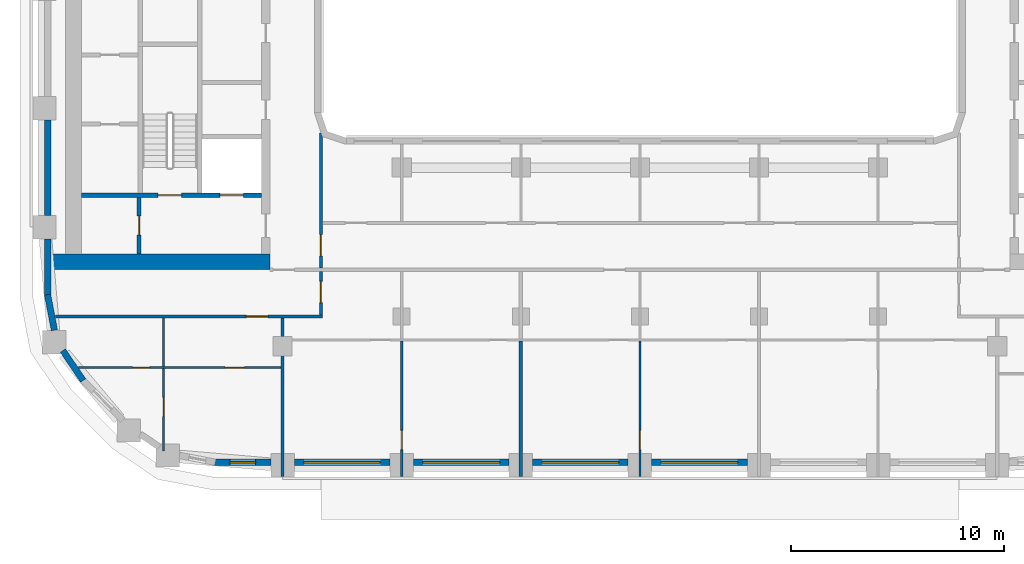
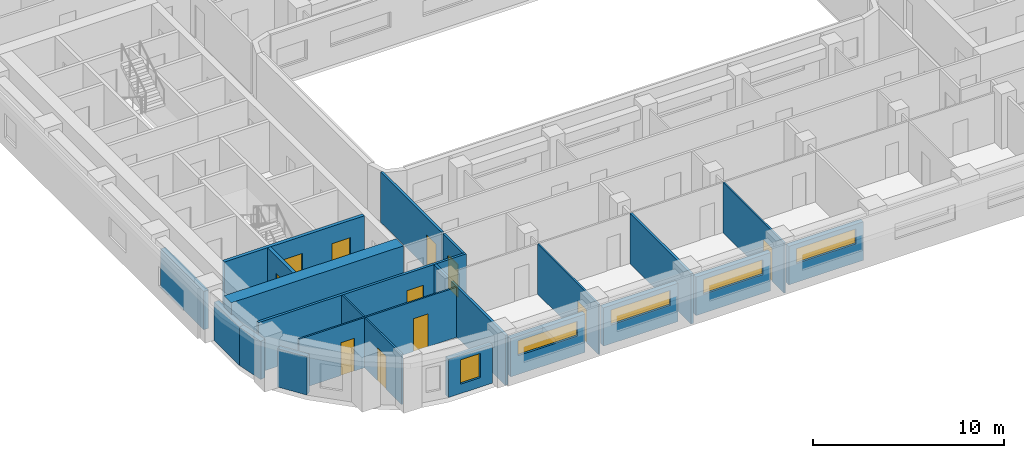
# One storey, part 2 of 22: 22 walls, 11 doors, 5 windows, 16 openings.
"""IFC4 building model written with IfcOpenShell, lengths in metres."""

from ifc_helpers import new_model, si_unit, direction, frame, frame_2d, origin, place, context, subcontext, project, spatial, rectangle, extrude, material, layer, layer_set, type_object, element, fill, save


model = new_model("IFC4")

# Units and contexts
model_context = context("Model", 3, precision=1e-05, world=origin(), true_north=direction((0.0, 1.0)))
body_context = subcontext(model_context, "Body", "Model", "MODEL_VIEW")
ifc_project = project(units=[si_unit("LENGTHUNIT", "METRE"), si_unit("AREAUNIT", "SQUARE_METRE"), si_unit("VOLUMEUNIT", "CUBIC_METRE"), si_unit("PLANEANGLEUNIT", "RADIAN"), si_unit("MASSUNIT", "GRAM", prefix="KILO")], contexts=[model_context])

# Site, building, storey
site_placement = place(None, origin())
site = spatial("IfcSite", under=ifc_project, at=site_placement, CompositionType="ELEMENT")
building_placement = place(site_placement, origin())
building = spatial("IfcBuilding", under=site, at=building_placement, Name="Kiln Ring Residences", CompositionType="ELEMENT")
storey_placement = place(building_placement, frame((0.0, 0.0, 153.60009765625)))
storey = spatial("IfcBuildingStorey", under=building, at=storey_placement, Name="L39", CompositionType="ELEMENT", Elevation=153.60009765625)

# Wall, opening, door
ifc_material_1 = material(Name="Gypsum board on steel studs", Category="steel")
ifc_layer_1 = layer(ifc_material_1, 0.199951171875)
ifc_layer_set_1 = layer_set([ifc_layer_1], Name="CORE-PARTITION-200")
wall_type_1 = type_object("IfcWallType", Name="CORE-PARTITION-200", PredefinedType="PARTITIONING", material=ifc_layer_set_1)
wall_1_placement = place(storey_placement, frame((-23.550048828125, -12.449951171875, 0.0), z_axis=(0.0, 0.0, 1.0), x_axis=(0.0, 1.0, 0.0)))
wall_1 = element("IfcWall", 1, at=wall_1_placement, inside=storey, type_object=wall_type_1, Name="Core partition west L39 5", PredefinedType="PARTITIONING", context=body_context, shape_type="SweptSolid", body=[
    extrude(rectangle(XDim=2.64990234375, YDim=0.199951171875, at=frame_2d((1.324951171875, 0.0))), origin(), (0.0, 0.0, 1.0), 3.199951171875),
])
opening_1_placement = place(wall_1_placement, frame((0.875, 0.0, 0.0)))
opening_1 = element("IfcOpeningElement", 2, at=opening_1_placement, cuts=wall_1, Name="Opening L39-CW10", PredefinedType="OPENING", context=body_context, shape_type="SweptSolid", body=[
    extrude(rectangle(XDim=0.89990234375, YDim=2.10009765625, at=frame_2d((0.449951171875, 1.050048828125))), frame((0.0, 0.10986328125, 0.0), z_axis=(0.0, -1.0, 0.0), x_axis=(1.0, 0.0, 0.0)), (0.0, 0.0, 1.0), 0.219970703125),
])
ifc_material_2 = material(Name="Steel door leaf", Category="steel")
door_type_1 = type_object("IfcDoorType", Name="CORE-DOOR-ROOM", OperationType="SINGLE_SWING_LEFT", PredefinedType="DOOR", material=ifc_material_2)
door_1_placement = place(opening_1_placement, origin())
door_1 = element("IfcDoor", 3, at=door_1_placement, inside=storey, type_object=door_type_1, Name="Store L39-CW10", OperationType="SINGLE_SWING_RIGHT", OverallHeight=2.10009765625, OverallWidth=0.89990234375, PredefinedType="DOOR", context=body_context, shape_type="SweptSolid", body=[
    extrude(rectangle(XDim=0.89990234375, YDim=2.10009765625, at=frame_2d((0.449951171875, 1.050048828125))), frame((0.0, 0.02490234375, 0.0), z_axis=(0.0, -1.0, 0.0), x_axis=(1.0, 0.0, 0.0)), (0.0, 0.0, 1.0), 0.050048828125),
])
fill(opening_1, door_1)

# Wall, openings, doors
ifc_material_3 = material(Name="Concrete C40/50", Category="concrete")
ifc_layer_2 = layer(ifc_material_3, 0.199951171875)
ifc_layer_set_2 = layer_set([ifc_layer_2], Name="CORE-WALL-RC200")
wall_type_2 = type_object("IfcWallType", Name="CORE-WALL-RC200", PredefinedType="SHEAR", material=ifc_layer_set_2)
wall_2_placement = place(storey_placement, frame((-17.800048828125, -9.699951171875, 0.0), z_axis=(0.0, 0.0, 1.0), x_axis=(-1.0, 0.0, 0.0)))
wall_2 = element("IfcWall", 4, at=wall_2_placement, inside=storey, type_object=wall_type_2, Name="Core wall west L39 8", PredefinedType="SHEAR", context=body_context, shape_type="SweptSolid", body=[
    extrude(rectangle(XDim=8.449951171875, YDim=0.199951171875, at=frame_2d((4.22509765625, 0.0))), origin(), (0.0, 0.0, 1.0), 3.199951171875),
])
opening_2_placement = place(wall_2_placement, frame((0.85009765625, 0.0, 0.0)))
opening_2 = element("IfcOpeningElement", 5, at=opening_2_placement, cuts=wall_2, Name="Opening L39-CW01", PredefinedType="OPENING", context=body_context, shape_type="SweptSolid", body=[
    extrude(rectangle(XDim=1.10009765625, YDim=2.10009765625, at=frame_2d((0.550048828125, 1.050048828125))), frame((0.0, 0.10986328125, 0.0), z_axis=(0.0, -1.0, 0.0), x_axis=(1.0, 0.0, 0.0)), (0.0, 0.0, 1.0), 0.219970703125),
])
opening_3_placement = place(wall_2_placement, frame((3.75, 0.0, 0.0)))
opening_3 = element("IfcOpeningElement", 6, at=opening_3_placement, cuts=wall_2, Name="Opening L39-CW12", PredefinedType="OPENING", context=body_context, shape_type="SweptSolid", body=[
    extrude(rectangle(XDim=1.10009765625, YDim=2.10009765625, at=frame_2d((0.550048828125, 1.050048828125))), frame((0.0, 0.10986328125, 0.0), z_axis=(0.0, -1.0, 0.0), x_axis=(1.0, 0.0, 0.0)), (0.0, 0.0, 1.0), 0.219970703125),
])
ifc_material_4 = material(Name="Steel door leaf", Category="steel")
door_type_2 = type_object("IfcDoorType", Name="CORE-DOOR-LD", OperationType="DOUBLE_DOOR_SLIDING", PredefinedType="DOOR", material=ifc_material_4)
door_2_placement = place(opening_2_placement, origin())
door_2 = element("IfcDoor", 7, at=door_2_placement, inside=storey, type_object=door_type_2, Name="LD W-SV L39-CW01", OperationType="DOUBLE_DOOR_SLIDING", OverallHeight=2.10009765625, OverallWidth=1.10009765625, PredefinedType="DOOR", context=body_context, shape_type="SweptSolid", body=[
    extrude(rectangle(XDim=1.10009765625, YDim=2.10009765625, at=frame_2d((0.550048828125, 1.050048828125))), frame((0.0, 0.02490234375, 0.0), z_axis=(0.0, -1.0, 0.0), x_axis=(1.0, 0.0, 0.0)), (0.0, 0.0, 1.0), 0.050048828125),
])
fill(opening_2, door_2)
ifc_material_5 = material(Name="Steel door leaf", Category="steel")
door_type_3 = type_object("IfcDoorType", Name="CORE-DOOR-STAIR", OperationType="SINGLE_SWING_LEFT", PredefinedType="DOOR", material=ifc_material_5)
door_3_placement = place(opening_3_placement, origin())
door_3 = element("IfcDoor", 8, at=door_3_placement, inside=storey, type_object=door_type_3, Name="Stair W-STS L39-CW12", OperationType="SINGLE_SWING_LEFT", OverallHeight=2.10009765625, OverallWidth=1.10009765625, PredefinedType="DOOR", context=body_context, shape_type="SweptSolid", body=[
    extrude(rectangle(XDim=1.10009765625, YDim=2.10009765625, at=frame_2d((0.550048828125, 1.050048828125))), frame((0.0, 0.02490234375, 0.0), z_axis=(0.0, -1.0, 0.0), x_axis=(1.0, 0.0, 0.0)), (0.0, 0.0, 1.0), 0.050048828125),
])
fill(opening_3, door_3)

# Wall
ifc_material_6 = material(Name="Concrete C60/75", Category="concrete")
ifc_layer_3 = layer(ifc_material_6, 0.75)
ifc_layer_set_3 = layer_set([ifc_layer_3], Name="CORE-WALL-RC750")
wall_type_3 = type_object("IfcWallType", Name="CORE-WALL-RC750", PredefinedType="SHEAR", material=ifc_layer_set_3)
wall_3_placement = place(storey_placement, frame((-17.39990234375, -12.824951171875, 0.0), z_axis=(0.0, 0.0, 1.0), x_axis=(-1.0, 0.0, 0.0)))
element("IfcWall", 9, at=wall_3_placement, inside=storey, type_object=wall_type_3, Name="Core wall west L39 5", PredefinedType="SHEAR", context=body_context, shape_type="SweptSolid", body=[
    extrude(rectangle(XDim=10.400146484375, YDim=0.75, at=frame_2d((5.2001953125, 0.0))), origin(), (0.0, 0.0, 1.0), 3.199951171875),
])

# Wall, opening, window
ifc_material_7 = material(Name="Brick masonry, dark clay brick", Category="masonry")
ifc_layer_4 = layer(ifc_material_7, 0.300048828125)
ifc_layer_set_4 = layer_set([ifc_layer_4], Name="EW-300 BRICK WALL")
wall_type_4 = type_object("IfcWallType", Name="EW-300 BRICK WALL", PredefinedType="SOLIDWALL", material=ifc_layer_set_4)
wall_4_placement = place(storey_placement, frame((-20.0, -22.25, 0.0), z_axis=(0.0, 0.0, 1.0), x_axis=(1.0, 0.0, 0.0)))
wall_4 = element("IfcWall", 10, at=wall_4_placement, inside=storey, type_object=wall_type_4, Name="Facade wall L39 4", PredefinedType="SOLIDWALL", context=body_context, shape_type="SweptSolid", body=[
    extrude(rectangle(XDim=2.64990234375, YDim=0.300048828125, at=frame_2d((1.324951171875, 0.0))), origin(), (0.0, 0.0, 1.0), 2.449951171875),
])
opening_4_placement = place(wall_4_placement, frame((0.72509765625, 0.0, 0.60009765625)))
opening_4 = element("IfcOpeningElement", 11, at=opening_4_placement, cuts=wall_4, Name="Opening W1", PredefinedType="OPENING", context=body_context, shape_type="SweptSolid", body=[
    extrude(rectangle(XDim=1.199951171875, YDim=1.550048828125, at=frame_2d((0.60009765625, 0.77490234375))), frame((0.0, 0.159912109375, 0.0), z_axis=(0.0, -1.0, 0.0), x_axis=(1.0, 0.0, 0.0)), (0.0, 0.0, 1.0), 0.320068359375),
])
ifc_material_8 = material(Name="Aluminium frame with double glazing", Category="aluminium")
window_type_1 = type_object("IfcWindowType", Name="WINDOW 1200 x 1550", PartitioningType="SINGLE_PANEL", PredefinedType="WINDOW", material=ifc_material_8)
window_1_placement = place(opening_4_placement, origin())
window_1 = element("IfcWindow", 12, at=window_1_placement, inside=storey, type_object=window_type_1, Name="Window L39 3", OverallHeight=1.550048828125, OverallWidth=1.199951171875, PartitioningType="SINGLE_PANEL", PredefinedType="WINDOW", context=body_context, shape_type="SweptSolid", body=[
    extrude(rectangle(XDim=1.199951171875, YDim=1.550048828125, at=frame_2d((0.60009765625, 0.77490234375))), frame((0.0, 0.030029296875, 0.0), z_axis=(0.0, -1.0, 0.0), x_axis=(1.0, 0.0, 0.0)), (0.0, 0.0, 1.0), 0.06005859375),
])
fill(opening_4, window_1)

wall_5_placement = place(storey_placement, frame((-16.25, -22.25, 0.0), z_axis=(0.0, 0.0, 1.0), x_axis=(1.0, 0.0, 0.0)))
wall_5 = element("IfcWall", 13, at=wall_5_placement, inside=storey, type_object=wall_type_4, Name="Facade wall L39 5", PredefinedType="SOLIDWALL", context=body_context, shape_type="SweptSolid", body=[
    extrude(rectangle(XDim=4.5, YDim=0.300048828125, at=frame_2d((2.25, 0.0))), origin(), (0.0, 0.0, 1.0), 2.449951171875),
])
opening_5_placement = place(wall_5_placement, frame((0.449951171875, 0.0, 1.199951171875)))
opening_5 = element("IfcOpeningElement", 14, at=opening_5_placement, cuts=wall_5, Name="Opening W4", PredefinedType="OPENING", context=body_context, shape_type="SweptSolid", body=[
    extrude(rectangle(XDim=3.60009765625, YDim=0.949951171875, at=frame_2d((1.800048828125, 0.47509765625))), frame((0.0, 0.159912109375, 0.0), z_axis=(0.0, -1.0, 0.0), x_axis=(1.0, 0.0, 0.0)), (0.0, 0.0, 1.0), 0.320068359375),
])
ifc_material_9 = material(Name="Aluminium frame with double glazing", Category="aluminium")
window_type_2 = type_object("IfcWindowType", Name="WINDOW 3600 x 950", PartitioningType="SINGLE_PANEL", PredefinedType="WINDOW", material=ifc_material_9)
window_2_placement = place(opening_5_placement, origin())
window_2 = element("IfcWindow", 15, at=window_2_placement, inside=storey, type_object=window_type_2, Name="Window L39 4", OverallHeight=0.949951171875, OverallWidth=3.60009765625, PartitioningType="SINGLE_PANEL", PredefinedType="WINDOW", context=body_context, shape_type="SweptSolid", body=[
    extrude(rectangle(XDim=3.60009765625, YDim=0.949951171875, at=frame_2d((1.800048828125, 0.47509765625))), frame((0.0, 0.030029296875, 0.0), z_axis=(0.0, -1.0, 0.0), x_axis=(1.0, 0.0, 0.0)), (0.0, 0.0, 1.0), 0.06005859375),
])
fill(opening_5, window_2)

wall_6_placement = place(storey_placement, frame((-10.64990234375, -22.25, 0.0), z_axis=(0.0, 0.0, 1.0), x_axis=(1.0, 0.0, 0.0)))
wall_6 = element("IfcWall", 16, at=wall_6_placement, inside=storey, type_object=wall_type_4, Name="Facade wall L39 6", PredefinedType="SOLIDWALL", context=body_context, shape_type="SweptSolid", body=[
    extrude(rectangle(XDim=4.5, YDim=0.300048828125, at=frame_2d((2.25, 0.0))), origin(), (0.0, 0.0, 1.0), 2.449951171875),
])
opening_6_placement = place(wall_6_placement, frame((0.449951171875, 0.0, 1.199951171875)))
opening_6 = element("IfcOpeningElement", 17, at=opening_6_placement, cuts=wall_6, Name="Opening W4", PredefinedType="OPENING", context=body_context, shape_type="SweptSolid", body=[
    extrude(rectangle(XDim=3.60009765625, YDim=0.949951171875, at=frame_2d((1.800048828125, 0.47509765625))), frame((0.0, 0.159912109375, 0.0), z_axis=(0.0, -1.0, 0.0), x_axis=(1.0, 0.0, 0.0)), (0.0, 0.0, 1.0), 0.320068359375),
])
window_3_placement = place(opening_6_placement, origin())
window_3 = element("IfcWindow", 18, at=window_3_placement, inside=storey, type_object=window_type_2, Name="Window L39 5", OverallHeight=0.949951171875, OverallWidth=3.60009765625, PartitioningType="SINGLE_PANEL", PredefinedType="WINDOW", context=body_context, shape_type="SweptSolid", body=[
    extrude(rectangle(XDim=3.60009765625, YDim=0.949951171875, at=frame_2d((1.800048828125, 0.47509765625))), frame((0.0, 0.030029296875, 0.0), z_axis=(0.0, -1.0, 0.0), x_axis=(1.0, 0.0, 0.0)), (0.0, 0.0, 1.0), 0.06005859375),
])
fill(opening_6, window_3)

wall_7_placement = place(storey_placement, frame((-5.050048828125, -22.25, 0.0), z_axis=(0.0, 0.0, 1.0), x_axis=(1.0, 0.0, 0.0)))
wall_7 = element("IfcWall", 19, at=wall_7_placement, inside=storey, type_object=wall_type_4, Name="Facade wall L39 7", PredefinedType="SOLIDWALL", context=body_context, shape_type="SweptSolid", body=[
    extrude(rectangle(XDim=4.5, YDim=0.300048828125, at=frame_2d((2.25, 0.0))), origin(), (0.0, 0.0, 1.0), 2.449951171875),
])
opening_7_placement = place(wall_7_placement, frame((0.449951171875, 0.0, 1.199951171875)))
opening_7 = element("IfcOpeningElement", 20, at=opening_7_placement, cuts=wall_7, Name="Opening W4", PredefinedType="OPENING", context=body_context, shape_type="SweptSolid", body=[
    extrude(rectangle(XDim=3.60009765625, YDim=0.949951171875, at=frame_2d((1.800048828125, 0.47509765625))), frame((0.0, 0.159912109375, 0.0), z_axis=(0.0, -1.0, 0.0), x_axis=(1.0, 0.0, 0.0)), (0.0, 0.0, 1.0), 0.320068359375),
])
window_4_placement = place(opening_7_placement, origin())
window_4 = element("IfcWindow", 21, at=window_4_placement, inside=storey, type_object=window_type_2, Name="Window L39 6", OverallHeight=0.949951171875, OverallWidth=3.60009765625, PartitioningType="SINGLE_PANEL", PredefinedType="WINDOW", context=body_context, shape_type="SweptSolid", body=[
    extrude(rectangle(XDim=3.60009765625, YDim=0.949951171875, at=frame_2d((1.800048828125, 0.47509765625))), frame((0.0, 0.030029296875, 0.0), z_axis=(0.0, -1.0, 0.0), x_axis=(1.0, 0.0, 0.0)), (0.0, 0.0, 1.0), 0.06005859375),
])
fill(opening_7, window_4)

wall_8_placement = place(storey_placement, frame((0.550048828125, -22.25, 0.0), z_axis=(0.0, 0.0, 1.0), x_axis=(1.0, 0.0, 0.0)))
wall_8 = element("IfcWall", 22, at=wall_8_placement, inside=storey, type_object=wall_type_4, Name="Facade wall L39 8", PredefinedType="SOLIDWALL", context=body_context, shape_type="SweptSolid", body=[
    extrude(rectangle(XDim=4.5, YDim=0.300048828125, at=frame_2d((2.25, 0.0))), origin(), (0.0, 0.0, 1.0), 2.449951171875),
])
opening_8_placement = place(wall_8_placement, frame((0.449951171875, 0.0, 1.199951171875)))
opening_8 = element("IfcOpeningElement", 23, at=opening_8_placement, cuts=wall_8, Name="Opening W4", PredefinedType="OPENING", context=body_context, shape_type="SweptSolid", body=[
    extrude(rectangle(XDim=3.60009765625, YDim=0.949951171875, at=frame_2d((1.800048828125, 0.47509765625))), frame((0.0, 0.159912109375, 0.0), z_axis=(0.0, -1.0, 0.0), x_axis=(1.0, 0.0, 0.0)), (0.0, 0.0, 1.0), 0.320068359375),
])
window_5_placement = place(opening_8_placement, origin())
window_5 = element("IfcWindow", 24, at=window_5_placement, inside=storey, type_object=window_type_2, Name="Window L39 7", OverallHeight=0.949951171875, OverallWidth=3.60009765625, PartitioningType="SINGLE_PANEL", PredefinedType="WINDOW", context=body_context, shape_type="SweptSolid", body=[
    extrude(rectangle(XDim=3.60009765625, YDim=0.949951171875, at=frame_2d((1.800048828125, 0.47509765625))), frame((0.0, 0.030029296875, 0.0), z_axis=(0.0, -1.0, 0.0), x_axis=(1.0, 0.0, 0.0)), (0.0, 0.0, 1.0), 0.06005859375),
])
fill(opening_8, window_5)

# Walls
wall_9_placement = place(storey_placement, frame((-27.85009765625, -6.14990234375, 0.0), z_axis=(0.0, 0.0, 1.0), x_axis=(0.0, -1.0, 0.0)))
element("IfcWall", 25, at=wall_9_placement, inside=storey, type_object=wall_type_4, Name="Facade wall L39 45", PredefinedType="SOLIDWALL", context=body_context, shape_type="SweptSolid", body=[
    extrude(rectangle(XDim=4.5, YDim=0.300048828125, at=frame_2d((2.25, 0.0))), origin(), (0.0, 0.0, 1.0), 2.449951171875),
])
wall_10_placement = place(storey_placement, frame((-27.85009765625, -11.75, 0.0), z_axis=(0.0, 0.0, 1.0), x_axis=(0.0, -1.0, 0.0)))
element("IfcWall", 26, at=wall_10_placement, inside=storey, type_object=wall_type_4, Name="Facade wall L39 46", PredefinedType="SOLIDWALL", context=body_context, shape_type="SweptSolid", body=[
    extrude(rectangle(XDim=2.64990234375, YDim=0.300048828125, at=frame_2d((1.324951171875, 0.0))), origin(), (0.0, 0.0, 1.0), 2.449951171875),
])
wall_11_placement = place(storey_placement, frame((-27.8525390625, -14.371826171875, 0.0), z_axis=(0.0, 0.0, 1.0), x_axis=(0.187302784601, -0.982302227871, 0.0)))
element("IfcWall", 27, at=wall_11_placement, inside=storey, type_object=wall_type_4, Name="Facade wall L39 47", PredefinedType="SOLIDWALL", context=body_context, shape_type="SweptSolid", body=[
    extrude(rectangle(XDim=1.706298828125, YDim=0.300048828125, at=frame_2d((0.85302734375, 0.0))), origin(), (0.0, 0.0, 1.0), 2.449951171875),
])
wall_12_placement = place(storey_placement, frame((-27.137939453125, -17.001708984375, 0.0), z_axis=(0.0, 0.0, 1.0), x_axis=(0.562075160946, -0.827086158419, 0.0)))
element("IfcWall", 28, at=wall_12_placement, inside=storey, type_object=wall_type_4, Name="Facade wall L39 48", PredefinedType="SOLIDWALL", context=body_context, shape_type="SweptSolid", body=[
    extrude(rectangle(XDim=1.7060546875, YDim=0.300048828125, at=frame_2d((0.85302734375, 0.0))), origin(), (0.0, 0.0, 1.0), 2.449951171875),
])

# Wall, openings, doors
ifc_material_10 = material(Name="Gypsum board on steel studs", Category="steel")
ifc_layer_5 = layer(ifc_material_10, 0.10009765625)
ifc_layer_set_5 = layer_set([ifc_layer_5], Name="PARTITION-100")
wall_type_5 = type_object("IfcWallType", Name="PARTITION-100", PredefinedType="PARTITIONING", material=ifc_layer_set_5)
wall_13_placement = place(storey_placement, frame((-26.39404296875, -17.800048828125, 0.0), z_axis=(0.0, 0.0, 1.0), x_axis=(1.0, 0.0, 0.0)))
wall_13 = element("IfcWall", 29, at=wall_13_placement, inside=storey, type_object=wall_type_5, Name="Partition 001", PredefinedType="PARTITIONING", context=body_context, shape_type="SweptSolid", body=[
    extrude(rectangle(XDim=9.51904296875, YDim=0.10009765625, at=frame_2d((4.759521484375, 0.0))), origin(), (0.0, 0.0, 1.0), 3.199951171875),
])
opening_9_placement = place(wall_13_placement, frame((2.5439453125, 0.0, 0.0)))
opening_9 = element("IfcOpeningElement", 30, at=opening_9_placement, cuts=wall_13, Name="Opening L39-D061", PredefinedType="OPENING", context=body_context, shape_type="SweptSolid", body=[
    extrude(rectangle(XDim=0.800048828125, YDim=2.10009765625, at=frame_2d((0.39990234375, 1.050048828125))), frame((0.0, 0.06005859375, 0.0), z_axis=(0.0, -1.0, 0.0), x_axis=(1.0, 0.0, 0.0)), (0.0, 0.0, 1.0), 0.1201171875),
])
opening_10_placement = place(wall_13_placement, frame((6.89404296875, 0.0, 0.0)))
opening_10 = element("IfcOpeningElement", 31, at=opening_10_placement, cuts=wall_13, Name="Opening L39-D062", PredefinedType="OPENING", context=body_context, shape_type="SweptSolid", body=[
    extrude(rectangle(XDim=0.89990234375, YDim=2.10009765625, at=frame_2d((0.449951171875, 1.050048828125))), frame((0.0, 0.06005859375, 0.0), z_axis=(0.0, -1.0, 0.0), x_axis=(1.0, 0.0, 0.0)), (0.0, 0.0, 1.0), 0.1201171875),
])
ifc_material_11 = material(Name="Timber door leaf", Category="wood")
door_type_4 = type_object("IfcDoorType", Name="FLAT-DOOR-800-PL", OperationType="SINGLE_SWING_LEFT", PredefinedType="DOOR", material=ifc_material_11)
door_4_placement = place(opening_9_placement, origin())
door_4 = element("IfcDoor", 32, at=door_4_placement, inside=storey, type_object=door_type_4, Name="Door L39-D061", OperationType="SINGLE_SWING_LEFT", OverallHeight=2.10009765625, OverallWidth=0.800048828125, PredefinedType="DOOR", context=body_context, shape_type="SweptSolid", body=[
    extrude(rectangle(XDim=0.800048828125, YDim=2.10009765625, at=frame_2d((0.39990234375, 1.050048828125))), frame((0.0, 0.02490234375, 0.0), z_axis=(0.0, -1.0, 0.0), x_axis=(1.0, 0.0, 0.0)), (0.0, 0.0, 1.0), 0.050048828125),
])
fill(opening_9, door_4)
ifc_material_12 = material(Name="Timber door leaf", Category="wood")
door_type_5 = type_object("IfcDoorType", Name="FLAT-DOOR-900-PL", OperationType="SINGLE_SWING_LEFT", PredefinedType="DOOR", material=ifc_material_12)
door_5_placement = place(opening_10_placement, origin())
door_5 = element("IfcDoor", 33, at=door_5_placement, inside=storey, type_object=door_type_5, Name="Door L39-D062", OperationType="SINGLE_SWING_RIGHT", OverallHeight=2.10009765625, OverallWidth=0.89990234375, PredefinedType="DOOR", context=body_context, shape_type="SweptSolid", body=[
    extrude(rectangle(XDim=0.89990234375, YDim=2.10009765625, at=frame_2d((0.449951171875, 1.050048828125))), frame((0.0, 0.02490234375, 0.0), z_axis=(0.0, -1.0, 0.0), x_axis=(1.0, 0.0, 0.0)), (0.0, 0.0, 1.0), 0.050048828125),
])
fill(opening_10, door_5)

# Wall, opening, door
wall_14_placement = place(storey_placement, frame((-22.39990234375, -21.719970703125, 0.0), z_axis=(0.0, 0.0, 1.0), x_axis=(0.0, 1.0, 0.0)))
wall_14 = element("IfcWall", 34, at=wall_14_placement, inside=storey, type_object=wall_type_5, Name="Partition 014", PredefinedType="PARTITIONING", context=body_context, shape_type="SweptSolid", body=[
    extrude(rectangle(XDim=3.869873046875, YDim=0.10009765625, at=frame_2d((1.93505859375, 0.0))), origin(), (0.0, 0.0, 1.0), 3.199951171875),
])
opening_11_placement = place(wall_14_placement, frame((1.6201171875, 0.0, 0.0)))
opening_11 = element("IfcOpeningElement", 35, at=opening_11_placement, cuts=wall_14, Name="Opening L39-D063", PredefinedType="OPENING", context=body_context, shape_type="SweptSolid", body=[
    extrude(rectangle(XDim=0.89990234375, YDim=2.10009765625, at=frame_2d((0.449951171875, 1.050048828125))), frame((0.0, 0.06005859375, 0.0), z_axis=(0.0, -1.0, 0.0), x_axis=(1.0, 0.0, 0.0)), (0.0, 0.0, 1.0), 0.1201171875),
])
door_6_placement = place(opening_11_placement, origin())
door_6 = element("IfcDoor", 36, at=door_6_placement, inside=storey, type_object=door_type_5, Name="Door L39-D063", OperationType="SINGLE_SWING_LEFT", OverallHeight=2.10009765625, OverallWidth=0.89990234375, PredefinedType="DOOR", context=body_context, shape_type="SweptSolid", body=[
    extrude(rectangle(XDim=0.89990234375, YDim=2.10009765625, at=frame_2d((0.449951171875, 1.050048828125))), frame((0.0, 0.02490234375, 0.0), z_axis=(0.0, -1.0, 0.0), x_axis=(1.0, 0.0, 0.0)), (0.0, 0.0, 1.0), 0.050048828125),
])
fill(opening_11, door_6)

# Wall
wall_15_placement = place(storey_placement, frame((-22.39990234375, -17.75, 0.0), z_axis=(0.0, 0.0, 1.0), x_axis=(0.0, 1.0, 0.0)))
element("IfcWall", 37, at=wall_15_placement, inside=storey, type_object=wall_type_5, Name="Partition 015", PredefinedType="PARTITIONING", context=body_context, shape_type="SweptSolid", body=[
    extrude(rectangle(XDim=2.27490234375, YDim=0.10009765625, at=frame_2d((1.137451171875, 0.0))), origin(), (0.0, 0.0, 1.0), 3.199951171875),
])

# Wall, opening, door
wall_16_placement = place(storey_placement, frame((-11.199951171875, -22.929931640625, 0.0), z_axis=(0.0, 0.0, 1.0), x_axis=(0.0, 1.0, 0.0)))
wall_16 = element("IfcWall", 38, at=wall_16_placement, inside=storey, type_object=wall_type_5, Name="Partition 025", PredefinedType="PARTITIONING", context=body_context, shape_type="SweptSolid", body=[
    extrude(rectangle(XDim=6.3798828125, YDim=0.10009765625, at=frame_2d((3.18994140625, 0.0))), origin(), (0.0, 0.0, 1.0), 3.199951171875),
])
opening_12_placement = place(wall_16_placement, frame((1.27001953125, 0.0, 0.0)))
opening_12 = element("IfcOpeningElement", 39, at=opening_12_placement, cuts=wall_16, Name="Opening L39-D047", PredefinedType="OPENING", context=body_context, shape_type="SweptSolid", body=[
    extrude(rectangle(XDim=0.89990234375, YDim=2.10009765625, at=frame_2d((0.449951171875, 1.050048828125))), frame((0.0, 0.06005859375, 0.0), z_axis=(0.0, -1.0, 0.0), x_axis=(1.0, 0.0, 0.0)), (0.0, 0.0, 1.0), 0.1201171875),
])
door_7_placement = place(opening_12_placement, origin())
door_7 = element("IfcDoor", 40, at=door_7_placement, inside=storey, type_object=door_type_5, Name="Door L39-D047", OperationType="SINGLE_SWING_LEFT", OverallHeight=2.10009765625, OverallWidth=0.89990234375, PredefinedType="DOOR", context=body_context, shape_type="SweptSolid", body=[
    extrude(rectangle(XDim=0.89990234375, YDim=2.10009765625, at=frame_2d((0.449951171875, 1.050048828125))), frame((0.0, 0.02490234375, 0.0), z_axis=(0.0, -1.0, 0.0), x_axis=(1.0, 0.0, 0.0)), (0.0, 0.0, 1.0), 0.050048828125),
])
fill(opening_12, door_7)

wall_17_placement = place(storey_placement, frame((0.0, -22.929931640625, 0.0), z_axis=(0.0, 0.0, 1.0), x_axis=(0.0, 1.0, 0.0)))
wall_17 = element("IfcWall", 41, at=wall_17_placement, inside=storey, type_object=wall_type_5, Name="Partition 039", PredefinedType="PARTITIONING", context=body_context, shape_type="SweptSolid", body=[
    extrude(rectangle(XDim=6.3798828125, YDim=0.10009765625, at=frame_2d((3.18994140625, 0.0))), origin(), (0.0, 0.0, 1.0), 3.199951171875),
])
opening_13_placement = place(wall_17_placement, frame((1.27001953125, 0.0, 0.0)))
opening_13 = element("IfcOpeningElement", 42, at=opening_13_placement, cuts=wall_17, Name="Opening L39-D051", PredefinedType="OPENING", context=body_context, shape_type="SweptSolid", body=[
    extrude(rectangle(XDim=0.89990234375, YDim=2.10009765625, at=frame_2d((0.449951171875, 1.050048828125))), frame((0.0, 0.06005859375, 0.0), z_axis=(0.0, -1.0, 0.0), x_axis=(1.0, 0.0, 0.0)), (0.0, 0.0, 1.0), 0.1201171875),
])
door_8_placement = place(opening_13_placement, origin())
door_8 = element("IfcDoor", 43, at=door_8_placement, inside=storey, type_object=door_type_5, Name="Door L39-D051", OperationType="SINGLE_SWING_LEFT", OverallHeight=2.10009765625, OverallWidth=0.89990234375, PredefinedType="DOOR", context=body_context, shape_type="SweptSolid", body=[
    extrude(rectangle(XDim=0.89990234375, YDim=2.10009765625, at=frame_2d((0.449951171875, 1.050048828125))), frame((0.0, 0.02490234375, 0.0), z_axis=(0.0, -1.0, 0.0), x_axis=(1.0, 0.0, 0.0)), (0.0, 0.0, 1.0), 0.050048828125),
])
fill(opening_13, door_8)

ifc_material_13 = material(Name="Brick masonry partition", Category="masonry")
ifc_layer_6 = layer(ifc_material_13, 0.14990234375)
ifc_layer_set_6 = layer_set([ifc_layer_6], Name="PARTITION-150-ei60")
wall_type_6 = type_object("IfcWallType", Name="PARTITION-150-ei60", PredefinedType="PARTITIONING", material=ifc_layer_set_6)
wall_18_placement = place(storey_placement, frame((-27.48388671875, -15.39990234375, 0.0), z_axis=(0.0, 0.0, 1.0), x_axis=(1.0, 0.0, 0.0)))
wall_18 = element("IfcWall", 44, at=wall_18_placement, inside=storey, type_object=wall_type_6, Name="Partition 003", PredefinedType="PARTITIONING", context=body_context, shape_type="SweptSolid", body=[
    extrude(rectangle(XDim=12.558837890625, YDim=0.14990234375, at=frame_2d((6.279296875, 0.0))), origin(), (0.0, 0.0, 1.0), 3.199951171875),
])
opening_14_placement = place(wall_18_placement, frame((8.98388671875, 0.0, 0.0)))
opening_14 = element("IfcOpeningElement", 45, at=opening_14_placement, cuts=wall_18, Name="Opening L39-D060", PredefinedType="OPENING", context=body_context, shape_type="SweptSolid", body=[
    extrude(rectangle(XDim=1.0, YDim=2.10009765625, at=frame_2d((0.5, 1.050048828125))), frame((0.0, 0.0849609375, 0.0), z_axis=(0.0, -1.0, 0.0), x_axis=(1.0, 0.0, 0.0)), (0.0, 0.0, 1.0), 0.169921875),
])
ifc_material_14 = material(Name="Steel faced fire door leaf", Category="steel")
door_type_6 = type_object("IfcDoorType", Name="FLAT-DOOR-1000-FR", OperationType="SINGLE_SWING_LEFT", PredefinedType="DOOR", material=ifc_material_14)
door_9_placement = place(opening_14_placement, origin())
door_9 = element("IfcDoor", 46, at=door_9_placement, inside=storey, type_object=door_type_6, Name="Door L39-D060", OperationType="SINGLE_SWING_RIGHT", OverallHeight=2.10009765625, OverallWidth=1.0, PredefinedType="DOOR", context=body_context, shape_type="SweptSolid", body=[
    extrude(rectangle(XDim=1.0, YDim=2.10009765625, at=frame_2d((0.5, 1.050048828125))), frame((0.0, 0.02490234375, 0.0), z_axis=(0.0, -1.0, 0.0), x_axis=(1.0, 0.0, 0.0)), (0.0, 0.0, 1.0), 0.050048828125),
])
fill(opening_14, door_9)

# Wall
wall_19_placement = place(storey_placement, frame((-16.800048828125, -22.929931640625, 0.0), z_axis=(0.0, 0.0, 1.0), x_axis=(0.0, 1.0, 0.0)))
element("IfcWall", 47, at=wall_19_placement, inside=storey, type_object=wall_type_6, Name="Partition 018", PredefinedType="PARTITIONING", context=body_context, shape_type="SweptSolid", body=[
    extrude(rectangle(XDim=7.454833984375, YDim=0.14990234375, at=frame_2d((3.7275390625, 0.0))), origin(), (0.0, 0.0, 1.0), 3.199951171875),
])

# Wall, opening, door
wall_20_placement = place(storey_placement, frame((-15.0, -15.324951171875, 0.0), z_axis=(0.0, 0.0, 1.0), x_axis=(0.0, 1.0, 0.0)))
wall_20 = element("IfcWall", 48, at=wall_20_placement, inside=storey, type_object=wall_type_6, Name="Partition 020", PredefinedType="PARTITIONING", context=body_context, shape_type="SweptSolid", body=[
    extrude(rectangle(XDim=2.050048828125, YDim=0.14990234375, at=frame_2d((1.02490234375, 0.0))), origin(), (0.0, 0.0, 1.0), 3.199951171875),
])
opening_15_placement = place(wall_20_placement, frame((0.573974609375, 0.0, 0.0)))
opening_15 = element("IfcOpeningElement", 49, at=opening_15_placement, cuts=wall_20, Name="Opening L39-D044", PredefinedType="OPENING", context=body_context, shape_type="SweptSolid", body=[
    extrude(rectangle(XDim=1.0, YDim=2.10009765625, at=frame_2d((0.5, 1.050048828125))), frame((0.0, 0.0849609375, 0.0), z_axis=(0.0, -1.0, 0.0), x_axis=(1.0, 0.0, 0.0)), (0.0, 0.0, 1.0), 0.169921875),
])
door_10_placement = place(opening_15_placement, origin())
door_10 = element("IfcDoor", 50, at=door_10_placement, inside=storey, type_object=door_type_6, Name="Door L39-D044", OperationType="SINGLE_SWING_RIGHT", OverallHeight=2.10009765625, OverallWidth=1.0, PredefinedType="DOOR", context=body_context, shape_type="SweptSolid", body=[
    extrude(rectangle(XDim=1.0, YDim=2.10009765625, at=frame_2d((0.5, 1.050048828125))), frame((0.0, 0.02490234375, 0.0), z_axis=(0.0, -1.0, 0.0), x_axis=(1.0, 0.0, 0.0)), (0.0, 0.0, 1.0), 0.050048828125),
])
fill(opening_15, door_10)

wall_21_placement = place(storey_placement, frame((-15.0, -13.125, 0.0), z_axis=(0.0, 0.0, 1.0), x_axis=(0.0, 1.0, 0.0)))
wall_21 = element("IfcWall", 51, at=wall_21_placement, inside=storey, type_object=wall_type_6, Name="Partition 021", PredefinedType="PARTITIONING", context=body_context, shape_type="SweptSolid", body=[
    extrude(rectangle(XDim=6.356201171875, YDim=0.14990234375, at=frame_2d((3.17822265625, 0.0))), origin(), (0.0, 0.0, 1.0), 3.199951171875),
])
opening_16_placement = place(wall_21_placement, frame((0.574951171875, 0.0, 0.0)))
opening_16 = element("IfcOpeningElement", 52, at=opening_16_placement, cuts=wall_21, Name="Opening L39-D005", PredefinedType="OPENING", context=body_context, shape_type="SweptSolid", body=[
    extrude(rectangle(XDim=1.0, YDim=2.10009765625, at=frame_2d((0.5, 1.050048828125))), frame((0.0, 0.0849609375, 0.0), z_axis=(0.0, -1.0, 0.0), x_axis=(1.0, 0.0, 0.0)), (0.0, 0.0, 1.0), 0.169921875),
])
door_11_placement = place(opening_16_placement, origin())
door_11 = element("IfcDoor", 53, at=door_11_placement, inside=storey, type_object=door_type_6, Name="Door L39-D005", OperationType="SINGLE_SWING_RIGHT", OverallHeight=2.10009765625, OverallWidth=1.0, PredefinedType="DOOR", context=body_context, shape_type="SweptSolid", body=[
    extrude(rectangle(XDim=1.0, YDim=2.10009765625, at=frame_2d((0.5, 1.050048828125))), frame((0.0, 0.02490234375, 0.0), z_axis=(0.0, -1.0, 0.0), x_axis=(1.0, 0.0, 0.0)), (0.0, 0.0, 1.0), 0.050048828125),
])
fill(opening_16, door_11)

# Wall
wall_22_placement = place(storey_placement, frame((-5.60009765625, -22.929931640625, 0.0), z_axis=(0.0, 0.0, 1.0), x_axis=(0.0, 1.0, 0.0)))
element("IfcWall", 54, at=wall_22_placement, inside=storey, type_object=wall_type_6, Name="Partition 034", PredefinedType="PARTITIONING", context=body_context, shape_type="SweptSolid", body=[
    extrude(rectangle(XDim=6.3798828125, YDim=0.14990234375, at=frame_2d((3.18994140625, 0.0))), origin(), (0.0, 0.0, 1.0), 3.199951171875),
])

save(model, "model.ifc")
